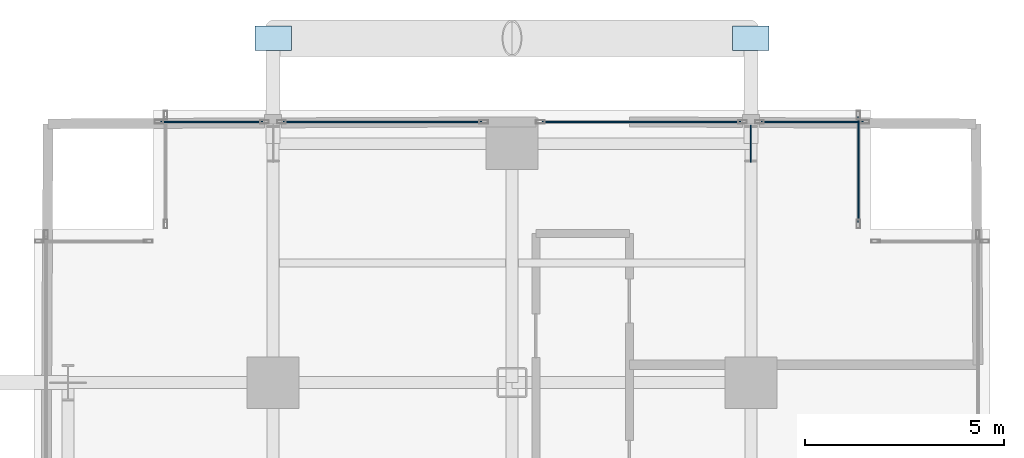
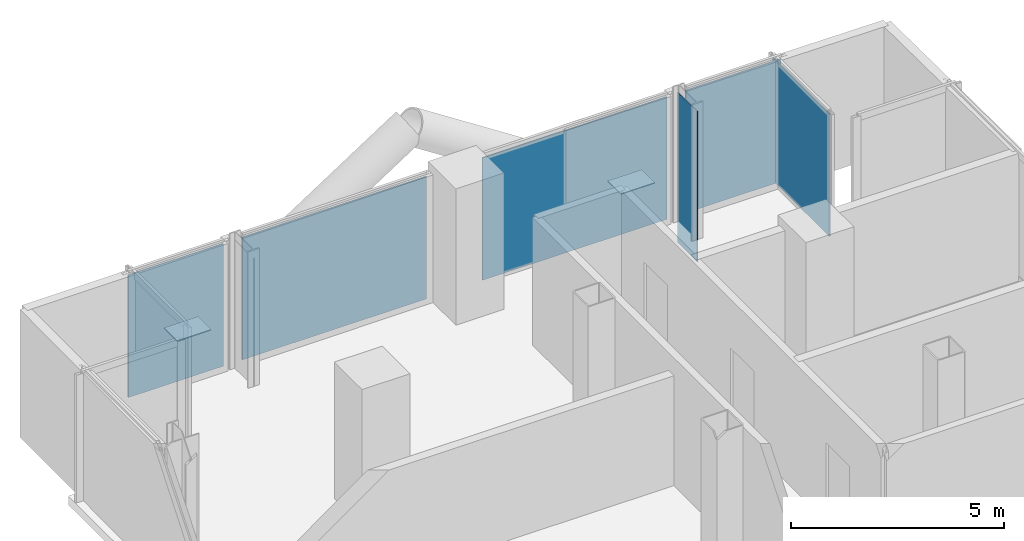
# One storey, part 18 of 25: 8 plates, 5 elements without a shape of their own.
"""IFC4 building model written with IfcOpenShell, lengths in metres."""

from ifc_helpers import new_model, si_unit, direction, frame, origin, origin_2d, place, context, subcontext, project, spatial, rectangle, extrude, material, layer, layer_set, type_object, element, aggregate, save


model = new_model("IFC4")

# Units and contexts
model_context = context("Model", 3, precision=1e-05, world=origin(), true_north=direction((0.0, 1.0)))
body_context = subcontext(model_context, "Body", "Model", "MODEL_VIEW")
ifc_project = project(units=[si_unit("LENGTHUNIT", "METRE"), si_unit("AREAUNIT", "SQUARE_METRE"), si_unit("VOLUMEUNIT", "CUBIC_METRE"), si_unit("PLANEANGLEUNIT", "RADIAN"), si_unit("MASSUNIT", "GRAM", prefix="KILO"), si_unit("THERMODYNAMICTEMPERATUREUNIT", "KELVIN"), si_unit("POWERUNIT", "WATT")], contexts=[model_context])

# Site, building, storey
site_placement = place(None, origin())
site = spatial("IfcSite", under=ifc_project, at=site_placement, CompositionType="ELEMENT")
building_placement = place(site_placement, origin())
building = spatial("IfcBuilding", under=site, at=building_placement, Name="Svarakhadi Broadcast Tower", CompositionType="ELEMENT")
storey_placement = place(building_placement, frame((0.0, 0.0, 79.199951171875)))
storey = spatial("IfcBuildingStorey", under=building, at=storey_placement, Name="L18", CompositionType="ELEMENT", Elevation=79.199951171875)

# Curtain wall, plate
ifc_material_1 = material(Name="Anodised Bronze Aluminium AA 6063-T6", Category="aluminium")
ifc_layer_1 = layer(ifc_material_1, 0.219970703125)
ifc_layer_set_1 = layer_set([ifc_layer_1], Name="Anodised Bronze Aluminium AA 6063-T6")
curtain_wall_type = type_object("IfcCurtainWallType", Name="CW_Sys_02", PredefinedType="NOTDEFINED", material=ifc_layer_set_1)
curtain_wall_1_placement = place(storey_placement, origin())
curtain_wall_1 = element("IfcCurtainWall", 1, at=curtain_wall_1_placement, inside=storey, type_object=curtain_wall_type, Name="L18 Unitised Facade Curtain Wall 06 Bay 1", PredefinedType="NOTDEFINED")
ifc_material_2 = material(Name="Double Low-E Laminated Acoustic Glass IGU 36 mm", Category="glass")
ifc_layer_2 = layer(ifc_material_2, 0.035888671875)
ifc_layer_set_2 = layer_set([ifc_layer_2], Name="Double Low-E Laminated Acoustic Glass IGU 36 mm")
plate_type_1 = type_object("IfcPlateType", Name="CW_Sys_02_Pnl", PredefinedType="CURTAIN_PANEL", material=ifc_layer_set_2)
plate_1_placement = place(storey_placement, frame((4.4599609375, 47.699951171875, 0.074951171875), z_axis=(0.0, 0.0, 1.0), x_axis=(1.0, 0.0, 0.0)))
plate_1 = element("IfcPlate", 2, at=plate_1_placement, type_object=plate_type_1, Name="CW-02 panel 1.1", PredefinedType="CURTAIN_PANEL", context=body_context, shape_type="SweptSolid", body=[
    extrude(rectangle(XDim=2.570068359375, YDim=0.035888671875, at=origin_2d()), origin(), (0.0, 0.0, 1.0), 3.5),
])
aggregate(curtain_wall_1, [plate_1])

curtain_wall_2_placement = place(storey_placement, origin())
curtain_wall_2 = element("IfcCurtainWall", 3, at=curtain_wall_2_placement, inside=storey, type_object=curtain_wall_type, Name="L18 Unitised Facade Curtain Wall 06 Bay 2", PredefinedType="NOTDEFINED")
plate_2_placement = place(storey_placement, frame((8.75, 47.699951171875, 0.074951171875), z_axis=(0.0, 0.0, 1.0), x_axis=(1.0, 0.0, 0.0)))
plate_2 = element("IfcPlate", 4, at=plate_2_placement, type_object=plate_type_1, Name="CW-02 panel 1.1", PredefinedType="CURTAIN_PANEL", context=body_context, shape_type="SweptSolid", body=[
    extrude(rectangle(XDim=4.989990234375, YDim=0.035888671875, at=origin_2d()), origin(), (0.0, 0.0, 1.0), 3.5),
])
aggregate(curtain_wall_2, [plate_2])

curtain_wall_3_placement = place(storey_placement, origin())
curtain_wall_3 = element("IfcCurtainWall", 5, at=curtain_wall_3_placement, inside=storey, type_object=curtain_wall_type, Name="L18 Unitised Facade Curtain Wall 06 Bay 3", PredefinedType="NOTDEFINED")
plate_3_placement = place(storey_placement, frame((15.25, 47.699951171875, 0.074951171875), z_axis=(0.0, 0.0, 1.0), x_axis=(1.0, 0.0, 0.0)))
plate_3 = element("IfcPlate", 6, at=plate_3_placement, type_object=plate_type_1, Name="CW-02 panel 1.1", PredefinedType="CURTAIN_PANEL", context=body_context, shape_type="SweptSolid", body=[
    extrude(rectangle(XDim=4.989990234375, YDim=0.035888671875, at=origin_2d()), origin(), (0.0, 0.0, 1.0), 3.5),
])
aggregate(curtain_wall_3, [plate_3])

curtain_wall_4_placement = place(storey_placement, origin())
curtain_wall_4 = element("IfcCurtainWall", 7, at=curtain_wall_4_placement, inside=storey, type_object=curtain_wall_type, Name="L18 Unitised Facade Curtain Wall 06 Bay 4", PredefinedType="NOTDEFINED")
plate_4_placement = place(storey_placement, frame((19.5400390625, 47.699951171875, 0.074951171875), z_axis=(0.0, 0.0, 1.0), x_axis=(1.0, 0.0, 0.0)))
plate_4 = element("IfcPlate", 8, at=plate_4_placement, type_object=plate_type_1, Name="CW-02 panel 1.1", PredefinedType="CURTAIN_PANEL", context=body_context, shape_type="SweptSolid", body=[
    extrude(rectangle(XDim=2.570068359375, YDim=0.035888671875, at=origin_2d()), origin(), (0.0, 0.0, 1.0), 3.5),
])
aggregate(curtain_wall_4, [plate_4])

curtain_wall_5_placement = place(storey_placement, origin())
curtain_wall_5 = element("IfcCurtainWall", 9, at=curtain_wall_5_placement, inside=storey, type_object=curtain_wall_type, Name="L18 Unitised Facade Curtain Wall 07", PredefinedType="NOTDEFINED")
plate_5_placement = place(storey_placement, frame((20.699951171875, 46.5, 0.074951171875), z_axis=(0.0, 0.0, 1.0), x_axis=(0.0, -1.0, 0.0)))
plate_5 = element("IfcPlate", 10, at=plate_5_placement, type_object=plate_type_1, Name="CW-02 panel 1.1", PredefinedType="CURTAIN_PANEL", context=body_context, shape_type="SweptSolid", body=[
    extrude(rectangle(XDim=2.64990234375, YDim=0.035888671875, at=origin_2d()), origin(), (0.0, 0.0, 1.0), 3.5),
])
aggregate(curtain_wall_5, [plate_5])

# Plates
ifc_material_3 = material(Name="Steel S460ML (IS 2062 E450BR)", Category="steel")
ifc_layer_3 = layer(ifc_material_3, 0.02587890625)
ifc_layer_set_3 = layer_set([ifc_layer_3], Name="Steel S460ML (IS 2062 E450BR)")
plate_type_2 = type_object("IfcPlateType", Name="Node_Gusset_N07", PredefinedType="SHEET", material=ifc_layer_set_3)
for number, where, z_axis, x_axis, name in (
    (11, (6.0, 49.800048828125, -0.25), (0.0, 0.0, 1.0), (1.0, 0.0, 0.0), "L18 Exoskeleton Gusset Node Plate N11"),
    (12, (18.0, 49.800048828125, -0.25), (0.0, 0.0, 1.0), (1.0, 0.0, 0.0), "L18 Exoskeleton Gusset Node Plate N12"),
):
    element("IfcPlate", number, at=place(storey_placement, frame(where, z_axis=z_axis, x_axis=x_axis)), inside=storey, type_object=plate_type_2, Name=name, PredefinedType="SHEET", context=body_context, shape_type="SweptSolid", body=[
        extrude(rectangle(XDim=0.919921875, YDim=0.6201171875, at=origin_2d()), origin(), (0.0, 0.0, 1.0), 0.02587890625),
    ])
plate_6_placement = place(storey_placement, frame((18.0, 47.14990234375, -0.6279296875), z_axis=(0.0, 0.0, 1.0), x_axis=(0.0, 1.0, 0.0)))
element("IfcPlate", 13, at=plate_6_placement, inside=storey, type_object=plate_type_2, Name="L18 Brace End Connection Gusset Plate N-07-E0140", PredefinedType="SHEET", context=body_context, shape_type="SweptSolid", body=[
    extrude(rectangle(XDim=0.919921875, YDim=0.02587890625, at=origin_2d()), origin(), (0.0, 0.0, 1.0), 4.300048828125),
])

save(model, "model.ifc")
